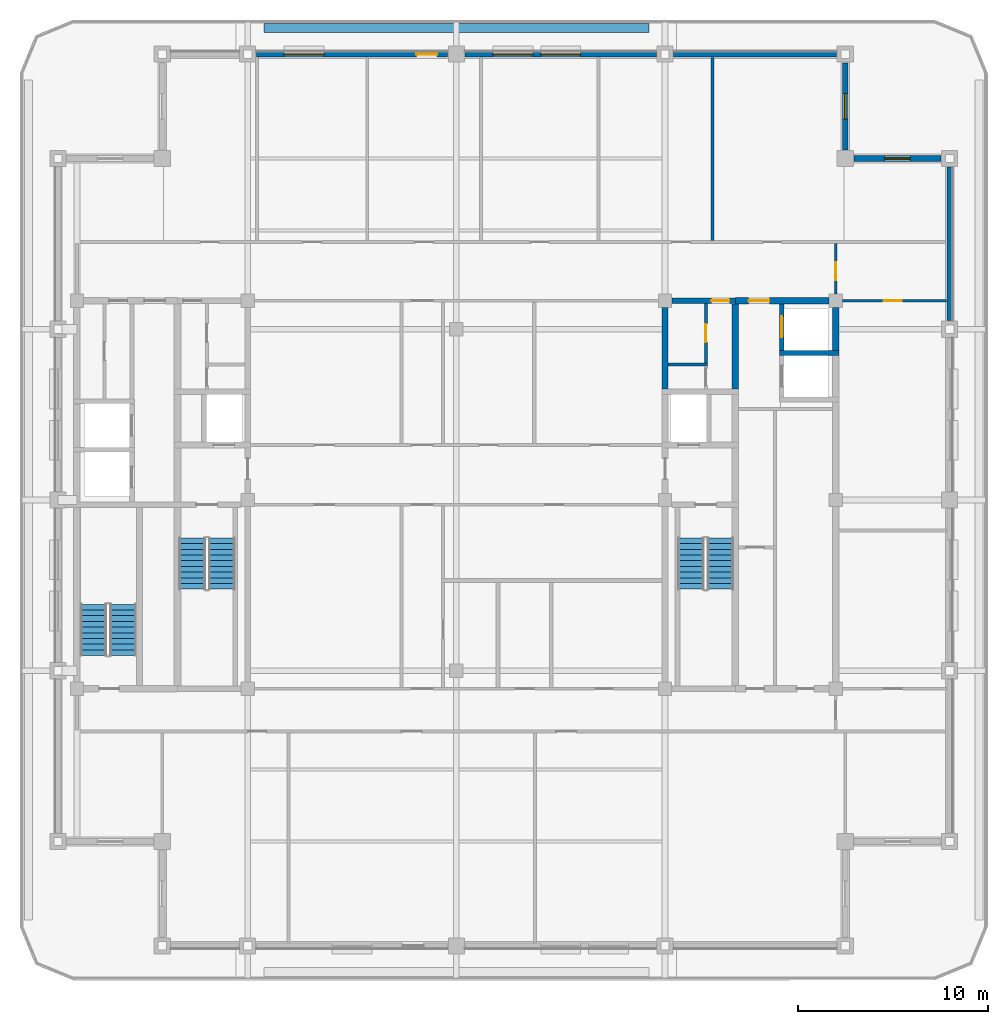
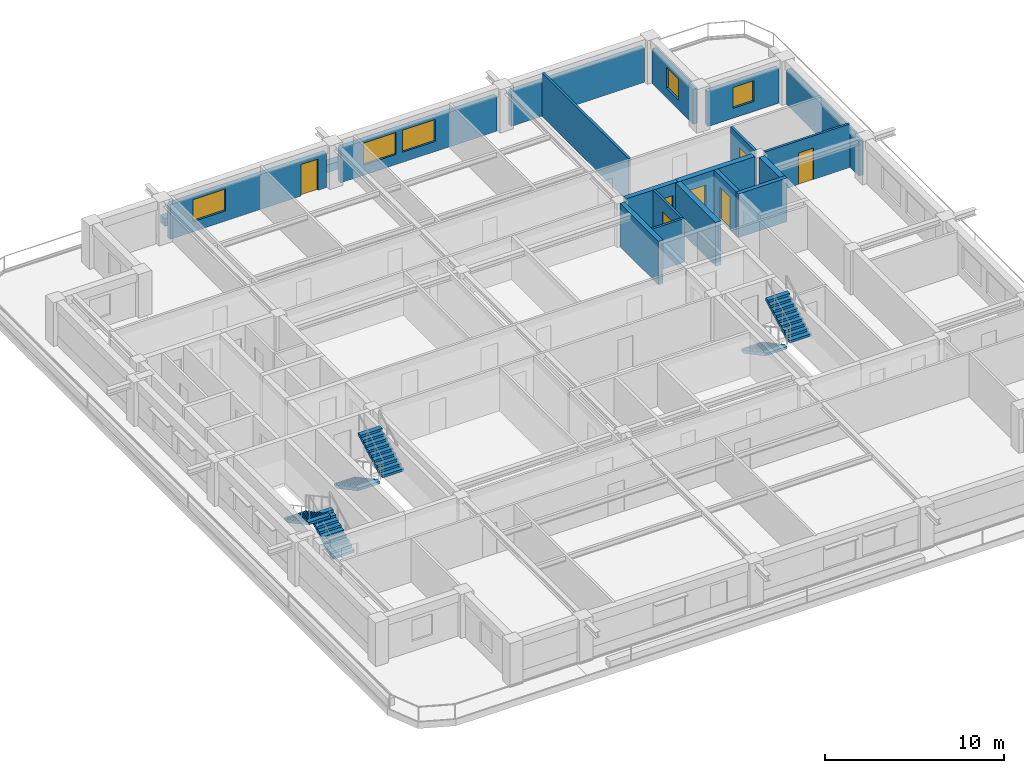
# One storey, part 6 of 11: 19 walls, 7 doors, 6 stair flights, 5 windows, 12 openings, 3 elements without a shape of their own.
"""IFC4 building model written with IfcOpenShell, lengths in metres."""

from ifc_helpers import new_model, si_unit, direction, frame, frame_2d, origin, place, context, subcontext, project, spatial, polyline, rectangle, outline, extrude, material, layer, layer_set, type_object, element, fill, aggregate, save


model = new_model("IFC4")

# Units and contexts
model_context = context("Model", 3, precision=1e-05, world=origin(), true_north=direction((0.0, 1.0)))
body_context = subcontext(model_context, "Body", "Model", "MODEL_VIEW")
ifc_project = project(units=[si_unit("LENGTHUNIT", "METRE"), si_unit("AREAUNIT", "SQUARE_METRE"), si_unit("VOLUMEUNIT", "CUBIC_METRE"), si_unit("PLANEANGLEUNIT", "RADIAN"), si_unit("MASSUNIT", "GRAM", prefix="KILO")], contexts=[model_context])

# Site, building, storey
site_placement = place(None, origin())
site = spatial("IfcSite", under=ifc_project, at=site_placement, CompositionType="ELEMENT")
building_placement = place(site_placement, origin())
building = spatial("IfcBuilding", under=site, at=building_placement, Name="Zulmaris Gate Convention Tower", CompositionType="ELEMENT")
storey_placement = place(building_placement, frame((0.0, 0.0, 233.280029296875)))
storey = spatial("IfcBuildingStorey", under=building, at=storey_placement, Name="L61", CompositionType="ELEMENT", Elevation=233.280029296875)

# Wall
ifc_material_1 = material(Name="Concrete C50/60", Category="concrete")
ifc_layer_1 = layer(ifc_material_1, 0.25, Name="Concrete C50/60")
ifc_layer_set_1 = layer_set([ifc_layer_1], Name="Concrete C50/60")
wall_type_1 = type_object("IfcWallType", Name="CORE-250", PredefinedType="SOLIDWALL", material=ifc_layer_set_1)
wall_1_placement = place(storey_placement, frame((17.02490234375, 7.75, 0.0), z_axis=(0.0, 0.0, 1.0), x_axis=(1.0, 0.0, 0.0)))
element("IfcWall", 1, at=wall_1_placement, inside=storey, type_object=wall_type_1, Name="WL-L61-014", PredefinedType="SOLIDWALL", context=body_context, shape_type="SweptSolid", body=[
    extrude(rectangle(XDim=3.150146484375, YDim=0.25, at=frame_2d((1.5751953125, 0.0))), origin(), (0.0, 0.0, 1.0), 2.97998046875),
])

# Wall, opening, door
wall_2_placement = place(storey_placement, frame((17.14990234375, 7.876953125, 0.0), z_axis=(0.0, 0.0, 1.0), x_axis=(0.0, 1.0, 0.0)))
wall_2 = element("IfcWall", 2, at=wall_2_placement, inside=storey, type_object=wall_type_1, Name="WL-L61-061", PredefinedType="SOLIDWALL", context=body_context, shape_type="SweptSolid", body=[
    extrude(rectangle(XDim=2.446044921875, YDim=0.25, at=frame_2d((1.22314453125, 0.0))), origin(), (0.0, 0.0, 1.0), 2.97998046875),
])
opening_1_placement = place(wall_2_placement, frame((0.697998046875, 0.0, 0.0)))
opening_1 = element("IfcOpeningElement", 3, at=opening_1_placement, cuts=wall_2, Name="Opening D-06", PredefinedType="OPENING", context=body_context, shape_type="SweptSolid", body=[
    extrude(rectangle(XDim=1.10009765625, YDim=2.199951171875, at=frame_2d((0.550048828125, 1.10009765625))), frame((0.0, 0.135009765625, 0.0), z_axis=(0.0, -1.0, 0.0), x_axis=(1.0, 0.0, 0.0)), (0.0, 0.0, 1.0), 0.27001953125),
])
ifc_material_2 = material(Name="Brushed Stainless Steel", Category="steel")
door_type_1 = type_object("IfcDoorType", Name="LD-1100", OperationType="NOTDEFINED", PredefinedType="DOOR", material=ifc_material_2)
door_1_placement = place(opening_1_placement, origin())
door_1 = element("IfcDoor", 4, at=door_1_placement, inside=storey, type_object=door_type_1, Name="L61 Lift Landing Door HP-02 20", OperationType="SLIDING_TO_RIGHT", OverallHeight=2.199951171875, OverallWidth=1.10009765625, PredefinedType="DOOR", context=body_context, shape_type="SweptSolid", body=[
    extrude(rectangle(XDim=1.10009765625, YDim=2.199951171875, at=frame_2d((0.550048828125, 1.10009765625))), frame((0.0, 0.02490234375, 0.0), z_axis=(0.0, -1.0, 0.0), x_axis=(1.0, 0.0, 0.0)), (0.0, 0.0, 1.0), 0.050048828125),
])
fill(opening_1, door_1)

ifc_layer_2 = layer(ifc_material_1, 0.300048828125, Name="Concrete C50/60")
ifc_layer_set_2 = layer_set([ifc_layer_2], Name="Concrete C50/60")
wall_type_2 = type_object("IfcWallType", Name="CORE-300", PredefinedType="SHEAR", material=ifc_layer_set_2)
wall_3_placement = place(storey_placement, frame((11.35400390625, 10.5, 0.0), z_axis=(0.0, 0.0, 1.0), x_axis=(1.0, 0.0, 0.0)))
wall_3 = element("IfcWall", 5, at=wall_3_placement, inside=storey, type_object=wall_type_2, Name="WL-L61-017", PredefinedType="SHEAR", context=body_context, shape_type="SweptSolid", body=[
    extrude(rectangle(XDim=3.345947265625, YDim=0.300048828125, at=frame_2d((1.6728515625, 0.0))), origin(), (0.0, 0.0, 1.0), 2.97998046875),
])
opening_2_placement = place(wall_3_placement, frame((2.091064453125, 0.0, 0.0)))
opening_2 = element("IfcOpeningElement", 6, at=opening_2_placement, cuts=wall_3, Name="Opening D-11", PredefinedType="OPENING", context=body_context, shape_type="SweptSolid", body=[
    extrude(rectangle(XDim=0.949951171875, YDim=2.14990234375, at=frame_2d((0.47509765625, 1.074951171875))), frame((0.0, 0.16015625, 0.0), z_axis=(0.0, -1.0, 0.0), x_axis=(1.0, 0.0, 0.0)), (0.0, 0.0, 1.0), 0.320068359375),
])
ifc_material_3 = material(Name="Fire-Rated Timber", Category="wood")
door_type_2 = type_object("IfcDoorType", Name="DR-950-FD", OperationType="NOTDEFINED", PredefinedType="DOOR", material=ifc_material_3)
door_2_placement = place(opening_2_placement, origin())
door_2 = element("IfcDoor", 7, at=door_2_placement, inside=storey, type_object=door_type_2, Name="L61 Core East Passage Door 10", OperationType="SINGLE_SWING_RIGHT", OverallHeight=2.14990234375, OverallWidth=0.949951171875, PredefinedType="DOOR", context=body_context, shape_type="SweptSolid", body=[
    extrude(rectangle(XDim=0.949951171875, YDim=2.14990234375, at=frame_2d((0.47509765625, 1.074951171875))), frame((0.0, 0.02490234375, 0.0), z_axis=(0.0, -1.0, 0.0), x_axis=(1.0, 0.0, 0.0)), (0.0, 0.0, 1.0), 0.050048828125),
])
fill(opening_2, door_2)

# Wall
wall_4_placement = place(storey_placement, frame((11.0, 5.85205078125, 0.0), z_axis=(0.0, 0.0, 1.0), x_axis=(0.0, 1.0, 0.0)))
element("IfcWall", 8, at=wall_4_placement, inside=storey, type_object=wall_type_2, Name="WL-L61-053", PredefinedType="SHEAR", context=body_context, shape_type="SweptSolid", body=[
    extrude(rectangle(XDim=4.2939453125, YDim=0.300048828125, at=frame_2d((2.14697265625, 0.0))), origin(), (0.0, 0.0, 1.0), 2.97998046875),
])

# Wall, opening, door
ifc_material_4 = material(Name="Concrete C55/67", Category="concrete")
ifc_layer_3 = layer(ifc_material_4, 0.35009765625, Name="Concrete C55/67")
ifc_layer_set_3 = layer_set([ifc_layer_3], Name="Concrete C55/67")
wall_type_3 = type_object("IfcWallType", Name="CORE-350", PredefinedType="SHEAR", material=ifc_layer_set_3)
wall_5_placement = place(storey_placement, frame((14.699951171875, 10.5, 0.0), z_axis=(0.0, 0.0, 1.0), x_axis=(1.0, 0.0, 0.0)))
wall_5 = element("IfcWall", 9, at=wall_5_placement, inside=storey, type_object=wall_type_3, Name="WL-L61-018", PredefinedType="SHEAR", context=body_context, shape_type="SweptSolid", body=[
    extrude(rectangle(XDim=4.946044921875, YDim=0.35009765625, at=frame_2d((2.47314453125, 0.0))), origin(), (0.0, 0.0, 1.0), 2.97998046875),
])
opening_3_placement = place(wall_5_placement, frame((0.699951171875, 0.0, 0.0)))
opening_3 = element("IfcOpeningElement", 10, at=opening_3_placement, cuts=wall_5, Name="Opening D-08", PredefinedType="OPENING", context=body_context, shape_type="SweptSolid", body=[
    extrude(rectangle(XDim=1.10009765625, YDim=2.14990234375, at=frame_2d((0.550048828125, 1.074951171875))), frame((0.0, 0.18505859375, 0.0), z_axis=(0.0, -1.0, 0.0), x_axis=(1.0, 0.0, 0.0)), (0.0, 0.0, 1.0), 0.3701171875),
])
ifc_material_5 = material(Name="Fire-Rated Steel", Category="steel")
door_type_3 = type_object("IfcDoorType", Name="DR-1100-FD", OperationType="NOTDEFINED", PredefinedType="DOOR", material=ifc_material_5)
door_3_placement = place(opening_3_placement, origin())
door_3 = element("IfcDoor", 11, at=door_3_placement, inside=storey, type_object=door_type_3, Name="L61 High-Rise East Lift Lobby Door 21", OperationType="SINGLE_SWING_LEFT", OverallHeight=2.14990234375, OverallWidth=1.10009765625, PredefinedType="DOOR", context=body_context, shape_type="SweptSolid", body=[
    extrude(rectangle(XDim=1.10009765625, YDim=2.14990234375, at=frame_2d((0.550048828125, 1.074951171875))), frame((0.0, 0.02490234375, 0.0), z_axis=(0.0, -1.0, 0.0), x_axis=(1.0, 0.0, 0.0)), (0.0, 0.0, 1.0), 0.050048828125),
])
fill(opening_3, door_3)

# Walls
wall_6_placement = place(storey_placement, frame((14.699951171875, 5.85205078125, 0.0), z_axis=(0.0, 0.0, 1.0), x_axis=(0.0, 1.0, 0.0)))
element("IfcWall", 12, at=wall_6_placement, inside=storey, type_object=wall_type_3, Name="WL-L61-059", PredefinedType="SHEAR", context=body_context, shape_type="SweptSolid", body=[
    extrude(rectangle(XDim=4.470947265625, YDim=0.35009765625, at=frame_2d((2.2353515625, 0.0))), origin(), (0.0, 0.0, 1.0), 2.97998046875),
])
wall_7_placement = place(storey_placement, frame((20.0, 7.876953125, 0.0), z_axis=(0.0, 0.0, 1.0), x_axis=(0.0, 1.0, 0.0)))
element("IfcWall", 13, at=wall_7_placement, inside=storey, type_object=wall_type_3, Name="WL-L61-064", PredefinedType="SHEAR", context=body_context, shape_type="SweptSolid", body=[
    extrude(rectangle(XDim=2.26904296875, YDim=0.35009765625, at=frame_2d((1.134521484375, 0.0))), origin(), (0.0, 0.0, 1.0), 2.97998046875),
])
ifc_material_6 = material(Name="Gypsum Metal Stud Partition")
ifc_layer_4 = layer(ifc_material_6, 0.14990234375, Name="Gypsum Metal Stud Partition")
ifc_layer_set_4 = layer_set([ifc_layer_4], Name="Gypsum Metal Stud Partition")
wall_type_4 = type_object("IfcWallType", Name="PART-150", PredefinedType="PARTITIONING", material=ifc_layer_set_4)
wall_8_placement = place(storey_placement, frame((11.153076171875, 7.14990234375, 0.0), z_axis=(0.0, 0.0, 1.0), x_axis=(1.0, 0.0, 0.0)))
element("IfcWall", 14, at=wall_8_placement, inside=storey, type_object=wall_type_4, Name="WL-L61-029", PredefinedType="PARTITIONING", context=body_context, shape_type="SweptSolid", body=[
    extrude(rectangle(XDim=2.072021484375, YDim=0.14990234375, at=frame_2d((1.0361328125, 0.0))), origin(), (0.0, 0.0, 1.0), 2.97998046875),
])

# Wall, opening, door
wall_9_placement = place(storey_placement, frame((20.35595703125, 10.5, 0.0), z_axis=(0.0, 0.0, 1.0), x_axis=(1.0, 0.0, 0.0)))
wall_9 = element("IfcWall", 15, at=wall_9_placement, inside=storey, type_object=wall_type_4, Name="WL-L61-031", PredefinedType="PARTITIONING", context=body_context, shape_type="SweptSolid", body=[
    extrude(rectangle(XDim=5.47900390625, YDim=0.14990234375, at=frame_2d((2.739501953125, 0.0))), origin(), (0.0, 0.0, 1.0), 2.97998046875),
])
opening_4_placement = place(wall_9_placement, frame((2.1689453125, 0.0, 0.0)))
opening_4 = element("IfcOpeningElement", 16, at=opening_4_placement, cuts=wall_9, Name="Opening D-11", PredefinedType="OPENING", context=body_context, shape_type="SweptSolid", body=[
    extrude(rectangle(XDim=0.949951171875, YDim=2.14990234375, at=frame_2d((0.47509765625, 1.074951171875))), frame((0.0, 0.0849609375, 0.0), z_axis=(0.0, -1.0, 0.0), x_axis=(1.0, 0.0, 0.0)), (0.0, 0.0, 1.0), 0.169921875),
])
door_4_placement = place(opening_4_placement, origin())
door_4 = element("IfcDoor", 17, at=door_4_placement, inside=storey, type_object=door_type_2, Name="L61 NE Partner Door 48", OperationType="SINGLE_SWING_RIGHT", OverallHeight=2.14990234375, OverallWidth=0.949951171875, PredefinedType="DOOR", context=body_context, shape_type="SweptSolid", body=[
    extrude(rectangle(XDim=0.949951171875, YDim=2.14990234375, at=frame_2d((0.47509765625, 1.074951171875))), frame((0.0, 0.02490234375, 0.0), z_axis=(0.0, -1.0, 0.0), x_axis=(1.0, 0.0, 0.0)), (0.0, 0.0, 1.0), 0.050048828125),
])
fill(opening_4, door_4)

wall_10_placement = place(storey_placement, frame((13.14990234375, 7.22802734375, 0.0), z_axis=(0.0, 0.0, 1.0), x_axis=(0.0, 1.0, 0.0)))
wall_10 = element("IfcWall", 18, at=wall_10_placement, inside=storey, type_object=wall_type_4, Name="WL-L61-087", PredefinedType="PARTITIONING", context=body_context, shape_type="SweptSolid", body=[
    extrude(rectangle(XDim=3.118896484375, YDim=0.14990234375, at=frame_2d((1.5595703125, 0.0))), origin(), (0.0, 0.0, 1.0), 2.97998046875),
])
opening_5_placement = place(wall_10_placement, frame((1.096923828125, 0.0, 0.0)))
opening_5 = element("IfcOpeningElement", 19, at=opening_5_placement, cuts=wall_10, Name="Opening D-11", PredefinedType="OPENING", context=body_context, shape_type="SweptSolid", body=[
    extrude(rectangle(XDim=0.949951171875, YDim=2.14990234375, at=frame_2d((0.47509765625, 1.074951171875))), frame((0.0, 0.0849609375, 0.0), z_axis=(0.0, -1.0, 0.0), x_axis=(1.0, 0.0, 0.0)), (0.0, 0.0, 1.0), 0.169921875),
])
door_5_placement = place(opening_5_placement, origin())
door_5 = element("IfcDoor", 20, at=door_5_placement, inside=storey, type_object=door_type_2, Name="L61 Core Hygiene Store Door 12", OperationType="SINGLE_SWING_RIGHT", OverallHeight=2.14990234375, OverallWidth=0.949951171875, PredefinedType="DOOR", context=body_context, shape_type="SweptSolid", body=[
    extrude(rectangle(XDim=0.949951171875, YDim=2.14990234375, at=frame_2d((0.47509765625, 1.074951171875))), frame((0.0, 0.02490234375, 0.0), z_axis=(0.0, -1.0, 0.0), x_axis=(1.0, 0.0, 0.0)), (0.0, 0.0, 1.0), 0.050048828125),
])
fill(opening_5, door_5)

# Wall
wall_11_placement = place(storey_placement, frame((13.5, 13.677978515625, 0.0), z_axis=(0.0, 0.0, 1.0), x_axis=(0.0, 1.0, 0.0)))
element("IfcWall", 21, at=wall_11_placement, inside=storey, type_object=wall_type_4, Name="WL-L61-088", PredefinedType="PARTITIONING", context=body_context, shape_type="SweptSolid", body=[
    extrude(rectangle(XDim=9.656982421875, YDim=0.14990234375, at=frame_2d((4.82861328125, 0.0))), origin(), (0.0, 0.0, 1.0), 2.97998046875),
])

# Wall, opening, door
wall_12_placement = place(storey_placement, frame((20.0, 10.85595703125, 0.0), z_axis=(0.0, 0.0, 1.0), x_axis=(0.0, 1.0, 0.0)))
wall_12 = element("IfcWall", 22, at=wall_12_placement, inside=storey, type_object=wall_type_4, Name="WL-L61-092", PredefinedType="PARTITIONING", context=body_context, shape_type="SweptSolid", body=[
    extrude(rectangle(XDim=2.666015625, YDim=0.14990234375, at=frame_2d((1.3330078125, 0.0))), origin(), (0.0, 0.0, 1.0), 2.97998046875),
])
opening_6_placement = place(wall_12_placement, frame((0.718994140625, 0.0, 0.0)))
opening_6 = element("IfcOpeningElement", 23, at=opening_6_placement, cuts=wall_12, Name="Opening D-11", PredefinedType="OPENING", context=body_context, shape_type="SweptSolid", body=[
    extrude(rectangle(XDim=0.949951171875, YDim=2.14990234375, at=frame_2d((0.47509765625, 1.074951171875))), frame((0.0, 0.0849609375, 0.0), z_axis=(0.0, -1.0, 0.0), x_axis=(1.0, 0.0, 0.0)), (0.0, 0.0, 1.0), 0.169921875),
])
door_6_placement = place(opening_6_placement, origin())
door_6 = element("IfcDoor", 24, at=door_6_placement, inside=storey, type_object=door_type_2, Name="L61 NE Spur Door 46", OperationType="SINGLE_SWING_RIGHT", OverallHeight=2.14990234375, OverallWidth=0.949951171875, PredefinedType="DOOR", context=body_context, shape_type="SweptSolid", body=[
    extrude(rectangle(XDim=0.949951171875, YDim=2.14990234375, at=frame_2d((0.47509765625, 1.074951171875))), frame((0.0, 0.02490234375, 0.0), z_axis=(0.0, -1.0, 0.0), x_axis=(1.0, 0.0, 0.0)), (0.0, 0.0, 1.0), 0.050048828125),
])
fill(opening_6, door_6)

# Wall
ifc_material_7 = material(Name="Botanical Green Glazed Precast Concrete C40/50", Category="concrete")
ifc_layer_5 = layer(ifc_material_7, 0.419921875, Name="Botanical Green Glazed Precast Concrete C40/50")
ifc_layer_set_5 = layer_set([ifc_layer_5], Name="Botanical Green Glazed Precast Concrete C40/50")
wall_type_5 = type_object("IfcWallType", Name="PLANTER-CURB-200", PredefinedType="PARAPET", material=ifc_layer_set_5)
wall_13_placement = place(storey_placement, frame((-10.14990234375, 24.8798828125, -0.0400390625), z_axis=(0.0, 0.0, 1.0), x_axis=(1.0, 0.0, 0.0)))
element("IfcWall", 25, at=wall_13_placement, inside=storey, type_object=wall_type_5, Name="L61 Full-Length Balcony Tree Planter Trough", PredefinedType="PARAPET", context=body_context, shape_type="SweptSolid", body=[
    extrude(rectangle(XDim=20.2998046875, YDim=0.47998046875, at=frame_2d((10.14990234375, 0.0))), origin(), (0.0, 0.0, 1.0), 0.52001953125),
])

# Wall, opening, window
ifc_material_8 = material(Name="Precast concrete C40/50", Category="concrete")
ifc_layer_6 = layer(ifc_material_8, 0.300048828125, Name="Precast concrete C40/50")
ifc_layer_set_6 = layer_set([ifc_layer_6], Name="Precast concrete C40/50")
wall_type_6 = type_object("IfcWallType", Name="PRECAST-PIER-300", PredefinedType="STANDARD", material=ifc_layer_set_6)
wall_14_placement = place(storey_placement, frame((25.544921875, 18.0, 0.0), z_axis=(0.0, 0.0, 1.0), x_axis=(-1.0, 0.0, 0.0)))
wall_14 = element("IfcWall", 26, at=wall_14_placement, inside=storey, type_object=wall_type_6, Name="EW-L61-NOTCH-NE1_0", PredefinedType="STANDARD", context=body_context, shape_type="SweptSolid", body=[
    extrude(rectangle(XDim=4.58984375, YDim=0.300048828125, at=frame_2d((2.294921875, 0.0))), origin(), (0.0, 0.0, 1.0), 2.3720703125),
])
opening_7_placement = place(wall_14_placement, frame((1.6201171875, 0.0, 0.679931640625)))
opening_7 = element("IfcOpeningElement", 27, at=opening_7_placement, cuts=wall_14, Name="Opening W-10", PredefinedType="OPENING", context=body_context, shape_type="SweptSolid", body=[
    extrude(rectangle(XDim=1.35009765625, YDim=1.419921875, at=frame_2d((0.675048828125, 0.7099609375))), frame((0.0, 0.16015625, 0.0), z_axis=(0.0, -1.0, 0.0), x_axis=(1.0, 0.0, 0.0)), (0.0, 0.0, 1.0), 0.320068359375),
])
ifc_material_9 = material(Name="Low-E Laminated Double Glazing in Aluminium Frame", Category="aluminium")
window_type_1 = type_object("IfcWindowType", Name="WIN-1350x2000", PartitioningType="SINGLE_PANEL", PredefinedType="WINDOW", material=ifc_material_9)
window_1_placement = place(opening_7_placement, origin())
window_1 = element("IfcWindow", 28, at=window_1_placement, inside=storey, type_object=window_type_1, Name="WN-EW-L61-NOTCH-NE1_0", OverallHeight=1.419921875, OverallWidth=1.35009765625, PartitioningType="SINGLE_PANEL", PredefinedType="WINDOW", context=body_context, shape_type="SweptSolid", body=[
    extrude(rectangle(XDim=1.35009765625, YDim=1.419921875, at=frame_2d((0.675048828125, 0.7099609375))), frame((0.0, 0.030029296875, 0.0), z_axis=(0.0, -1.0, 0.0), x_axis=(1.0, 0.0, 0.0)), (0.0, 0.0, 1.0), 0.06005859375),
])
fill(opening_7, window_1)

wall_15_placement = place(storey_placement, frame((20.5, 18.455078125, 0.0), z_axis=(0.0, 0.0, 1.0), x_axis=(0.0, 1.0, 0.0)))
wall_15 = element("IfcWall", 29, at=wall_15_placement, inside=storey, type_object=wall_type_6, Name="EW-L61-NOTCH-NE2_0", PredefinedType="STANDARD", context=body_context, shape_type="SweptSolid", body=[
    extrude(rectangle(XDim=4.58984375, YDim=0.300048828125, at=frame_2d((2.294921875, 0.0))), origin(), (0.0, 0.0, 1.0), 2.3720703125),
])
opening_8_placement = place(wall_15_placement, frame((1.6201171875, 0.0, 0.679931640625)))
opening_8 = element("IfcOpeningElement", 30, at=opening_8_placement, cuts=wall_15, Name="Opening W-10", PredefinedType="OPENING", context=body_context, shape_type="SweptSolid", body=[
    extrude(rectangle(XDim=1.35009765625, YDim=1.419921875, at=frame_2d((0.675048828125, 0.7099609375))), frame((0.0, 0.16015625, 0.0), z_axis=(0.0, -1.0, 0.0), x_axis=(1.0, 0.0, 0.0)), (0.0, 0.0, 1.0), 0.320068359375),
])
window_2_placement = place(opening_8_placement, origin())
window_2 = element("IfcWindow", 31, at=window_2_placement, inside=storey, type_object=window_type_1, Name="WN-EW-L61-NOTCH-NE2_0", OverallHeight=1.419921875, OverallWidth=1.35009765625, PartitioningType="SINGLE_PANEL", PredefinedType="WINDOW", context=body_context, shape_type="SweptSolid", body=[
    extrude(rectangle(XDim=1.35009765625, YDim=1.419921875, at=frame_2d((0.675048828125, 0.7099609375))), frame((0.0, 0.030029296875, 0.0), z_axis=(0.0, -1.0, 0.0), x_axis=(1.0, 0.0, 0.0)), (0.0, 0.0, 1.0), 0.06005859375),
])
fill(opening_8, window_2)

# Wall, openings, door, window
wall_16_placement = place(storey_placement, frame((-0.455078125, 23.5, 0.0), z_axis=(0.0, 0.0, 1.0), x_axis=(-1.0, 0.0, 0.0)))
wall_16 = element("IfcWall", 32, at=wall_16_placement, inside=storey, type_object=wall_type_6, Name="EW-L61-N-1_0", PredefinedType="STANDARD", context=body_context, shape_type="SweptSolid", body=[
    extrude(rectangle(XDim=10.08984375, YDim=0.300048828125, at=frame_2d((5.044921875, 0.0))), origin(), (0.0, 0.0, 1.0), 2.3720703125),
])
opening_9_placement = place(wall_16_placement, frame((0.55810546875, 0.0, 0.0)))
opening_9 = element("IfcOpeningElement", 33, at=opening_9_placement, cuts=wall_16, Name="Opening D-04", PredefinedType="OPENING", context=body_context, shape_type="SweptSolid", body=[
    extrude(rectangle(XDim=1.10009765625, YDim=2.14990234375, at=frame_2d((0.550048828125, 1.074951171875))), frame((0.0, 0.16015625, 0.0), z_axis=(0.0, -1.0, 0.0), x_axis=(1.0, 0.0, 0.0)), (0.0, 0.0, 1.0), 0.320068359375),
])
opening_10_placement = place(wall_16_placement, frame((6.51806640625, 0.0, 0.699951171875)))
opening_10 = element("IfcOpeningElement", 34, at=opening_10_placement, cuts=wall_16, Name="Opening W-05", PredefinedType="OPENING", context=body_context, shape_type="SweptSolid", body=[
    extrude(rectangle(XDim=2.10009765625, YDim=1.5, at=frame_2d((1.050048828125, 0.75))), frame((0.0, 0.16015625, 0.0), z_axis=(0.0, -1.0, 0.0), x_axis=(1.0, 0.0, 0.0)), (0.0, 0.0, 1.0), 0.320068359375),
])
ifc_material_10 = material(Name="Anodised Aluminium and Laminated Glass", Category="aluminium")
door_type_4 = type_object("IfcDoorType", Name="ED-1100", OperationType="SINGLE_SWING_RIGHT", PredefinedType="DOOR", material=ifc_material_10)
door_7_placement = place(opening_9_placement, origin())
door_7 = element("IfcDoor", 35, at=door_7_placement, inside=storey, type_object=door_type_4, Name="L61 N Planted Terrace Door", OperationType="SINGLE_SWING_LEFT", OverallHeight=2.14990234375, OverallWidth=1.10009765625, PredefinedType="DOOR", context=body_context, shape_type="SweptSolid", body=[
    extrude(rectangle(XDim=1.10009765625, YDim=2.14990234375, at=frame_2d((0.550048828125, 1.074951171875))), frame((0.0, 0.02490234375, 0.0), z_axis=(0.0, -1.0, 0.0), x_axis=(1.0, 0.0, 0.0)), (0.0, 0.0, 1.0), 0.050048828125),
])
fill(opening_9, door_7)
window_type_2 = type_object("IfcWindowType", Name="WIN-2100x2400", PartitioningType="SINGLE_PANEL", PredefinedType="WINDOW", material=ifc_material_9)
window_3_placement = place(opening_10_placement, origin())
window_3 = element("IfcWindow", 36, at=window_3_placement, inside=storey, type_object=window_type_2, Name="WN-EW-L61-N-1_0-3", OverallHeight=1.5, OverallWidth=2.10009765625, PartitioningType="SINGLE_PANEL", PredefinedType="WINDOW", context=body_context, shape_type="SweptSolid", body=[
    extrude(rectangle(XDim=2.10009765625, YDim=1.5, at=frame_2d((1.050048828125, 0.75))), frame((0.0, 0.030029296875, 0.0), z_axis=(0.0, -1.0, 0.0), x_axis=(1.0, 0.0, 0.0)), (0.0, 0.0, 1.0), 0.06005859375),
])
fill(opening_10, window_3)

# Wall, openings, windows
wall_17_placement = place(storey_placement, frame((10.544921875, 23.5, 0.0), z_axis=(0.0, 0.0, 1.0), x_axis=(-1.0, 0.0, 0.0)))
wall_17 = element("IfcWall", 37, at=wall_17_placement, inside=storey, type_object=wall_type_6, Name="EW-L61-N-2_0", PredefinedType="STANDARD", context=body_context, shape_type="SweptSolid", body=[
    extrude(rectangle(XDim=10.08984375, YDim=0.300048828125, at=frame_2d((5.044921875, 0.0))), origin(), (0.0, 0.0, 1.0), 2.3720703125),
])
opening_11_placement = place(wall_17_placement, frame((3.9951171875, 0.0, 0.699951171875)))
opening_11 = element("IfcOpeningElement", 38, at=opening_11_placement, cuts=wall_17, Name="Opening W-05", PredefinedType="OPENING", context=body_context, shape_type="SweptSolid", body=[
    extrude(rectangle(XDim=2.10009765625, YDim=1.5, at=frame_2d((1.050048828125, 0.75))), frame((0.0, 0.16015625, 0.0), z_axis=(0.0, -1.0, 0.0), x_axis=(1.0, 0.0, 0.0)), (0.0, 0.0, 1.0), 0.320068359375),
])
opening_12_placement = place(wall_17_placement, frame((6.51806640625, 0.0, 0.699951171875)))
opening_12 = element("IfcOpeningElement", 39, at=opening_12_placement, cuts=wall_17, Name="Opening W-05", PredefinedType="OPENING", context=body_context, shape_type="SweptSolid", body=[
    extrude(rectangle(XDim=2.10009765625, YDim=1.5, at=frame_2d((1.050048828125, 0.75))), frame((0.0, 0.16015625, 0.0), z_axis=(0.0, -1.0, 0.0), x_axis=(1.0, 0.0, 0.0)), (0.0, 0.0, 1.0), 0.320068359375),
])
window_4_placement = place(opening_11_placement, origin())
window_4 = element("IfcWindow", 40, at=window_4_placement, inside=storey, type_object=window_type_2, Name="WN-EW-L61-N-2_0-2", OverallHeight=1.5, OverallWidth=2.10009765625, PartitioningType="SINGLE_PANEL", PredefinedType="WINDOW", context=body_context, shape_type="SweptSolid", body=[
    extrude(rectangle(XDim=2.10009765625, YDim=1.5, at=frame_2d((1.050048828125, 0.75))), frame((0.0, 0.030029296875, 0.0), z_axis=(0.0, -1.0, 0.0), x_axis=(1.0, 0.0, 0.0)), (0.0, 0.0, 1.0), 0.06005859375),
])
fill(opening_11, window_4)
window_5_placement = place(opening_12_placement, origin())
window_5 = element("IfcWindow", 41, at=window_5_placement, inside=storey, type_object=window_type_2, Name="WN-EW-L61-N-2_0-3", OverallHeight=1.5, OverallWidth=2.10009765625, PartitioningType="SINGLE_PANEL", PredefinedType="WINDOW", context=body_context, shape_type="SweptSolid", body=[
    extrude(rectangle(XDim=2.10009765625, YDim=1.5, at=frame_2d((1.050048828125, 0.75))), frame((0.0, 0.030029296875, 0.0), z_axis=(0.0, -1.0, 0.0), x_axis=(1.0, 0.0, 0.0)), (0.0, 0.0, 1.0), 0.06005859375),
])
fill(opening_12, window_5)

# Walls
wall_18_placement = place(storey_placement, frame((20.044921875, 23.5, 0.0), z_axis=(0.0, 0.0, 1.0), x_axis=(-1.0, 0.0, 0.0)))
element("IfcWall", 42, at=wall_18_placement, inside=storey, type_object=wall_type_6, Name="EW-L61-N-3_0", PredefinedType="STANDARD", context=body_context, shape_type="SweptSolid", body=[
    extrude(rectangle(XDim=8.58984375, YDim=0.300048828125, at=frame_2d((4.294921875, 0.0))), origin(), (0.0, 0.0, 1.0), 2.3720703125),
])
wall_19_placement = place(storey_placement, frame((26.0, 9.455078125, 0.0), z_axis=(0.0, 0.0, 1.0), x_axis=(0.0, 1.0, 0.0)))
element("IfcWall", 43, at=wall_19_placement, inside=storey, type_object=wall_type_6, Name="EW-L61-E-3_0", PredefinedType="STANDARD", context=body_context, shape_type="SweptSolid", body=[
    extrude(rectangle(XDim=8.08984375, YDim=0.300048828125, at=frame_2d((4.044921875, 0.0))), origin(), (0.0, 0.0, 1.0), 2.3720703125),
])

# Stair, stair flights
ifc_material_11 = material(Name="Concrete C45/55", Category="concrete")
stair_type = type_object("IfcStairType", Name="ST-CORE-DOGLEG", PredefinedType="HALF_TURN_STAIR", material=ifc_material_11)
stair_1_placement = place(storey_placement, origin())
stair_1 = element("IfcStair", 44, at=stair_1_placement, inside=storey, type_object=stair_type, Name="L61 Core Exit Stair ST-1", PredefinedType="HALF_TURN_STAIR")
ifc_layer_7 = layer(ifc_material_11, 0.14990234375, Name="Concrete C45/55")
ifc_layer_set_7 = layer_set([ifc_layer_7], Name="Concrete C45/55")
stair_flight_type = type_object("IfcStairFlightType", Name="STF-RC150", PredefinedType="STRAIGHT", material=ifc_layer_set_7)
stair_flight_1_placement = place(storey_placement, frame((-13.919921875, -2.0, 0.0), z_axis=(0.0, 0.0, 1.0), x_axis=(0.0, -1.0, 0.0)))
stair_flight_1 = element("IfcStairFlight", 45, at=stair_flight_1_placement, type_object=stair_flight_type, Name="ST-1 flight 1", NumberOfRisers=10, NumberOfTreads=9, PredefinedType="STRAIGHT", RiserHeight=0.1615, TreadLength=0.3, context=body_context, shape_type="SweptSolid", body=[
    extrude(outline(polyline([(0.0, 0.0), (0.0, 0.16162109375), (0.300048828125, 0.16162109375), (0.300048828125, 0.322998046875), (0.60009765625, 0.322998046875), (0.60009765625, 0.484619140625), (0.89990234375, 0.484619140625), (0.89990234375, 0.64599609375), (1.199951171875, 0.64599609375), (1.199951171875, 0.8076171875), (1.5, 0.8076171875), (1.5, 0.968994140625), (1.800048828125, 0.968994140625), (1.800048828125, 1.130615234375), (2.10009765625, 1.130615234375), (2.10009765625, 1.2919921875), (2.39990234375, 1.2919921875), (2.39990234375, 1.45361328125), (2.699951171875, 1.45361328125), (2.699951171875, 1.614990234375), (2.699951171875, 1.283203125), (0.316162109375, 0.0), (0.0, 0.0)])), frame((0.0, 0.699951171875, 0.0), z_axis=(0.0, -1.0, 0.0), x_axis=(1.0, 0.0, 0.0)), (0.0, 0.0, 1.0), 1.39990234375),
])
stair_flight_2_placement = place(storey_placement, frame((-12.360107421875, -4.699951171875, 1.614990234375), z_axis=(0.0, 0.0, 1.0), x_axis=(0.0, 1.0, 0.0)))
stair_flight_2 = element("IfcStairFlight", 46, at=stair_flight_2_placement, type_object=stair_flight_type, Name="ST-1 flight 2", NumberOfRisers=10, NumberOfTreads=9, PredefinedType="STRAIGHT", RiserHeight=0.1615, TreadLength=0.3, context=body_context, shape_type="SweptSolid", body=[
    extrude(outline(polyline([(0.0, 0.0), (0.0, 0.16162109375), (0.300048828125, 0.16162109375), (0.300048828125, 0.322998046875), (0.60009765625, 0.322998046875), (0.60009765625, 0.484619140625), (0.89990234375, 0.484619140625), (0.89990234375, 0.64599609375), (1.199951171875, 0.64599609375), (1.199951171875, 0.8076171875), (1.5, 0.8076171875), (1.5, 0.968994140625), (1.800048828125, 0.968994140625), (1.800048828125, 1.130615234375), (2.10009765625, 1.130615234375), (2.10009765625, 1.2919921875), (2.39990234375, 1.2919921875), (2.39990234375, 1.45361328125), (2.699951171875, 1.45361328125), (2.699951171875, 1.614990234375), (2.699951171875, 1.283203125), (0.316162109375, 0.0), (0.0, 0.0)])), frame((0.0, 0.699951171875, 0.0), z_axis=(0.0, -1.0, 0.0), x_axis=(1.0, 0.0, 0.0)), (0.0, 0.0, 1.0), 1.39990234375),
])
aggregate(stair_1, [stair_flight_1, stair_flight_2])

stair_2_placement = place(storey_placement, origin())
stair_2 = element("IfcStair", 47, at=stair_2_placement, inside=storey, type_object=stair_type, Name="L61 Core Exit Stair ST-2", PredefinedType="HALF_TURN_STAIR")
stair_flight_3_placement = place(storey_placement, frame((12.360107421875, -2.0, 0.0), z_axis=(0.0, 0.0, 1.0), x_axis=(0.0, -1.0, 0.0)))
stair_flight_3 = element("IfcStairFlight", 48, at=stair_flight_3_placement, type_object=stair_flight_type, Name="ST-2 flight 1", NumberOfRisers=10, NumberOfTreads=9, PredefinedType="STRAIGHT", RiserHeight=0.1615, TreadLength=0.3, context=body_context, shape_type="SweptSolid", body=[
    extrude(outline(polyline([(0.0, 0.0), (0.0, 0.16162109375), (0.300048828125, 0.16162109375), (0.300048828125, 0.322998046875), (0.60009765625, 0.322998046875), (0.60009765625, 0.484619140625), (0.89990234375, 0.484619140625), (0.89990234375, 0.64599609375), (1.199951171875, 0.64599609375), (1.199951171875, 0.8076171875), (1.5, 0.8076171875), (1.5, 0.968994140625), (1.800048828125, 0.968994140625), (1.800048828125, 1.130615234375), (2.10009765625, 1.130615234375), (2.10009765625, 1.2919921875), (2.39990234375, 1.2919921875), (2.39990234375, 1.45361328125), (2.699951171875, 1.45361328125), (2.699951171875, 1.614990234375), (2.699951171875, 1.283203125), (0.316162109375, 0.0), (0.0, 0.0)])), frame((0.0, 0.699951171875, 0.0), z_axis=(0.0, -1.0, 0.0), x_axis=(1.0, 0.0, 0.0)), (0.0, 0.0, 1.0), 1.39990234375),
])
stair_flight_4_placement = place(storey_placement, frame((13.919921875, -4.699951171875, 1.614990234375), z_axis=(0.0, 0.0, 1.0), x_axis=(0.0, 1.0, 0.0)))
stair_flight_4 = element("IfcStairFlight", 49, at=stair_flight_4_placement, type_object=stair_flight_type, Name="ST-2 flight 2", NumberOfRisers=10, NumberOfTreads=9, PredefinedType="STRAIGHT", RiserHeight=0.1615, TreadLength=0.3, context=body_context, shape_type="SweptSolid", body=[
    extrude(outline(polyline([(0.0, 0.0), (0.0, 0.16162109375), (0.300048828125, 0.16162109375), (0.300048828125, 0.322998046875), (0.60009765625, 0.322998046875), (0.60009765625, 0.484619140625), (0.89990234375, 0.484619140625), (0.89990234375, 0.64599609375), (1.199951171875, 0.64599609375), (1.199951171875, 0.8076171875), (1.5, 0.8076171875), (1.5, 0.968994140625), (1.800048828125, 0.968994140625), (1.800048828125, 1.130615234375), (2.10009765625, 1.130615234375), (2.10009765625, 1.2919921875), (2.39990234375, 1.2919921875), (2.39990234375, 1.45361328125), (2.699951171875, 1.45361328125), (2.699951171875, 1.614990234375), (2.699951171875, 1.283203125), (0.316162109375, 0.0), (0.0, 0.0)])), frame((0.0, 0.699951171875, 0.0), z_axis=(0.0, -1.0, 0.0), x_axis=(1.0, 0.0, 0.0)), (0.0, 0.0, 1.0), 1.39990234375),
])
aggregate(stair_2, [stair_flight_3, stair_flight_4])

stair_3_placement = place(storey_placement, origin())
stair_3 = element("IfcStair", 50, at=stair_3_placement, inside=storey, type_object=stair_type, Name="L61 Core Exit Stair ST-3", PredefinedType="HALF_TURN_STAIR")
stair_flight_5_placement = place(storey_placement, frame((-17.56005859375, -8.199951171875, 0.0), z_axis=(0.0, 0.0, 1.0), x_axis=(0.0, 1.0, 0.0)))
stair_flight_5 = element("IfcStairFlight", 51, at=stair_flight_5_placement, type_object=stair_flight_type, Name="ST-3 flight 1", NumberOfRisers=10, NumberOfTreads=9, PredefinedType="STRAIGHT", RiserHeight=0.1615, TreadLength=0.3, context=body_context, shape_type="SweptSolid", body=[
    extrude(outline(polyline([(0.0, 0.0), (0.0, 0.16162109375), (0.300048828125, 0.16162109375), (0.300048828125, 0.322998046875), (0.60009765625, 0.322998046875), (0.60009765625, 0.484619140625), (0.89990234375, 0.484619140625), (0.89990234375, 0.64599609375), (1.199951171875, 0.64599609375), (1.199951171875, 0.8076171875), (1.5, 0.8076171875), (1.5, 0.968994140625), (1.800048828125, 0.968994140625), (1.800048828125, 1.130615234375), (2.10009765625, 1.130615234375), (2.10009765625, 1.2919921875), (2.39990234375, 1.2919921875), (2.39990234375, 1.45361328125), (2.699951171875, 1.45361328125), (2.699951171875, 1.614990234375), (2.699951171875, 1.283203125), (0.316162109375, 0.0), (0.0, 0.0)])), frame((0.0, 0.699951171875, 0.0), z_axis=(0.0, -1.0, 0.0), x_axis=(1.0, 0.0, 0.0)), (0.0, 0.0, 1.0), 1.39990234375),
])
stair_flight_6_placement = place(storey_placement, frame((-19.1201171875, -5.5, 1.614990234375), z_axis=(0.0, 0.0, 1.0), x_axis=(0.0, -1.0, 0.0)))
stair_flight_6 = element("IfcStairFlight", 52, at=stair_flight_6_placement, type_object=stair_flight_type, Name="ST-3 flight 2", NumberOfRisers=10, NumberOfTreads=9, PredefinedType="STRAIGHT", RiserHeight=0.1615, TreadLength=0.3, context=body_context, shape_type="SweptSolid", body=[
    extrude(outline(polyline([(0.0, 0.0), (0.0, 0.16162109375), (0.300048828125, 0.16162109375), (0.300048828125, 0.322998046875), (0.60009765625, 0.322998046875), (0.60009765625, 0.484619140625), (0.89990234375, 0.484619140625), (0.89990234375, 0.64599609375), (1.199951171875, 0.64599609375), (1.199951171875, 0.8076171875), (1.5, 0.8076171875), (1.5, 0.968994140625), (1.800048828125, 0.968994140625), (1.800048828125, 1.130615234375), (2.10009765625, 1.130615234375), (2.10009765625, 1.2919921875), (2.39990234375, 1.2919921875), (2.39990234375, 1.45361328125), (2.699951171875, 1.45361328125), (2.699951171875, 1.614990234375), (2.699951171875, 1.283203125), (0.316162109375, 0.0), (0.0, 0.0)])), frame((0.0, 0.699951171875, 0.0), z_axis=(0.0, -1.0, 0.0), x_axis=(1.0, 0.0, 0.0)), (0.0, 0.0, 1.0), 1.39990234375),
])
aggregate(stair_3, [stair_flight_5, stair_flight_6])

save(model, "model.ifc")
